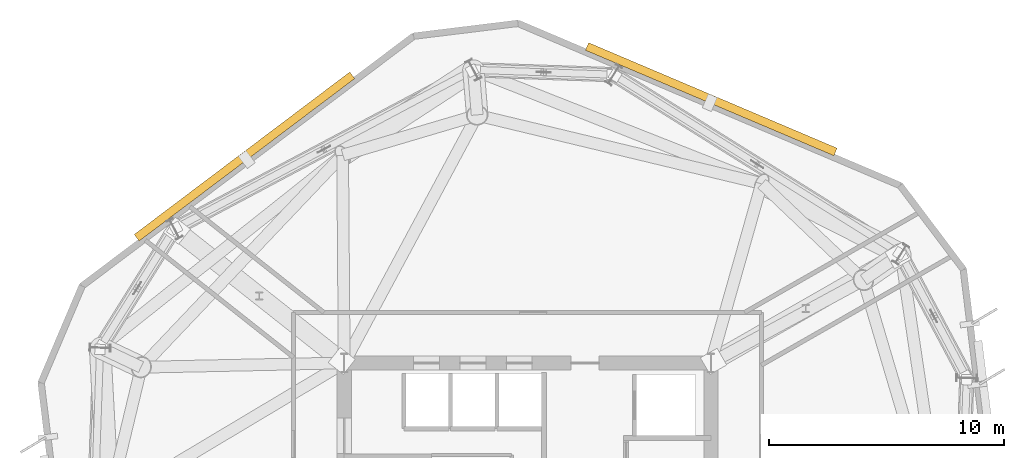
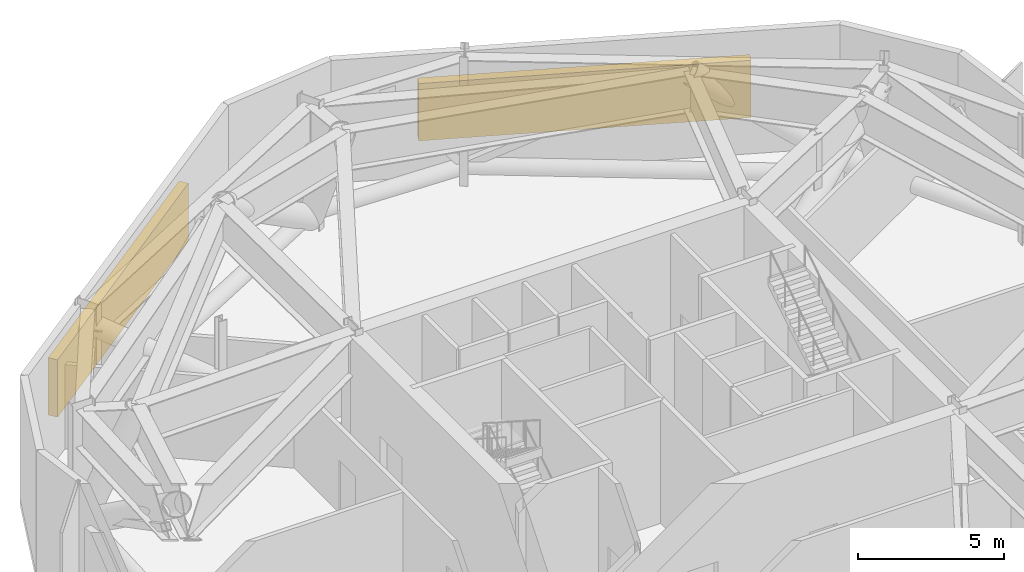
# One storey, part 11 of 11: 2 shading devices.
"""IFC4 building model written with IfcOpenShell, lengths in metres."""

from ifc_helpers import new_model, si_unit, direction, frame, origin, origin_2d, place, context, subcontext, project, spatial, rectangle, extrude, material, type_object, element, save


model = new_model("IFC4")

# Units and contexts
model_context = context("Model", 3, precision=1e-05, world=origin(), true_north=direction((0.0, 1.0)))
body_context = subcontext(model_context, "Body", "Model", "MODEL_VIEW")
ifc_project = project(units=[si_unit("LENGTHUNIT", "METRE"), si_unit("AREAUNIT", "SQUARE_METRE"), si_unit("VOLUMEUNIT", "CUBIC_METRE"), si_unit("PLANEANGLEUNIT", "RADIAN"), si_unit("MASSUNIT", "GRAM", prefix="KILO")], contexts=[model_context])

# Site, building, storey
site_placement = place(None, origin())
site = spatial("IfcSite", under=ifc_project, at=site_placement, CompositionType="ELEMENT")
building_placement = place(site_placement, origin())
building = spatial("IfcBuilding", under=site, at=building_placement, Name="Kranzbogen Civic Tower", CompositionType="ELEMENT")
storey_placement = place(building_placement, frame((0.0, 0.0, 170.39990234375)))
storey = spatial("IfcBuildingStorey", under=building, at=storey_placement, Name="L41", CompositionType="ELEMENT", Elevation=170.39990234375)

# Shading devices
ifc_material = material(Name="Pale Anodised Aluminium", Category="aluminium")
shading_device_type = type_object("IfcShadingDeviceType", Name="Plant Band Acoustic Weather Louvre Module", PredefinedType="USERDEFINED", material=ifc_material)
shading_device_1_placement = place(storey_placement, frame((32.819091796875, 43.4208984375, 1.3701171875), z_axis=(0.0, 0.0, 1.0), x_axis=(-0.920511672857, 0.390715062589, 0.0)))
element("IfcShadingDevice", 1, at=shading_device_1_placement, inside=storey, type_object=shading_device_type, Name="L41 acoustic intake louvre 1", ObjectType="LOUVRE", PredefinedType="USERDEFINED", context=body_context, shape_type="SweptSolid", body=[
    extrude(rectangle(XDim=11.48388671875, YDim=0.35009765625, at=origin_2d()), origin(), (0.0, 0.0, 1.0), 2.39990234375),
])
shading_device_2_placement = place(storey_placement, frame((12.95703125, 40.98291015625, 1.3701171875), z_axis=(0.0, 0.0, 1.0), x_axis=(-0.798593493487, -0.601870776962, 0.0)))
element("IfcShadingDevice", 2, at=shading_device_2_placement, inside=storey, type_object=shading_device_type, Name="L41 acoustic intake louvre 2", ObjectType="LOUVRE", PredefinedType="USERDEFINED", context=body_context, shape_type="SweptSolid", body=[
    extrude(rectangle(XDim=11.484375, YDim=0.35009765625, at=origin_2d()), origin(), (0.0, 0.0, 1.0), 2.39990234375),
])

save(model, "model.ifc")
